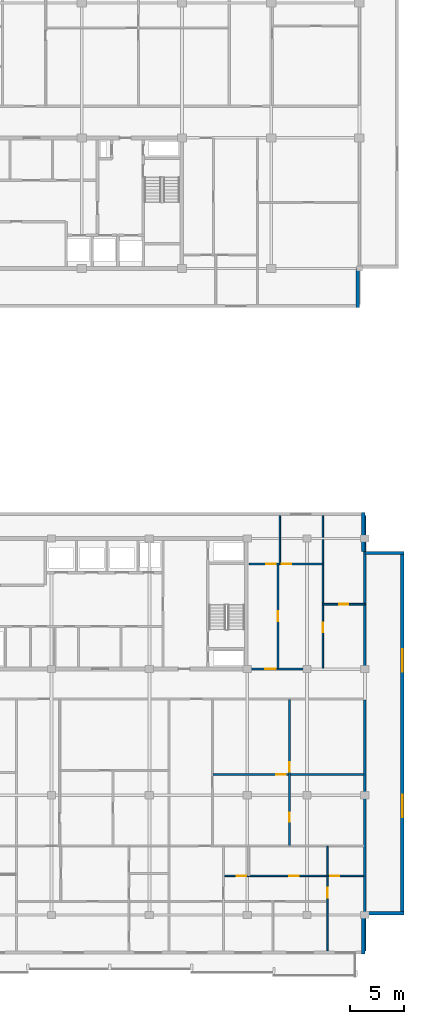
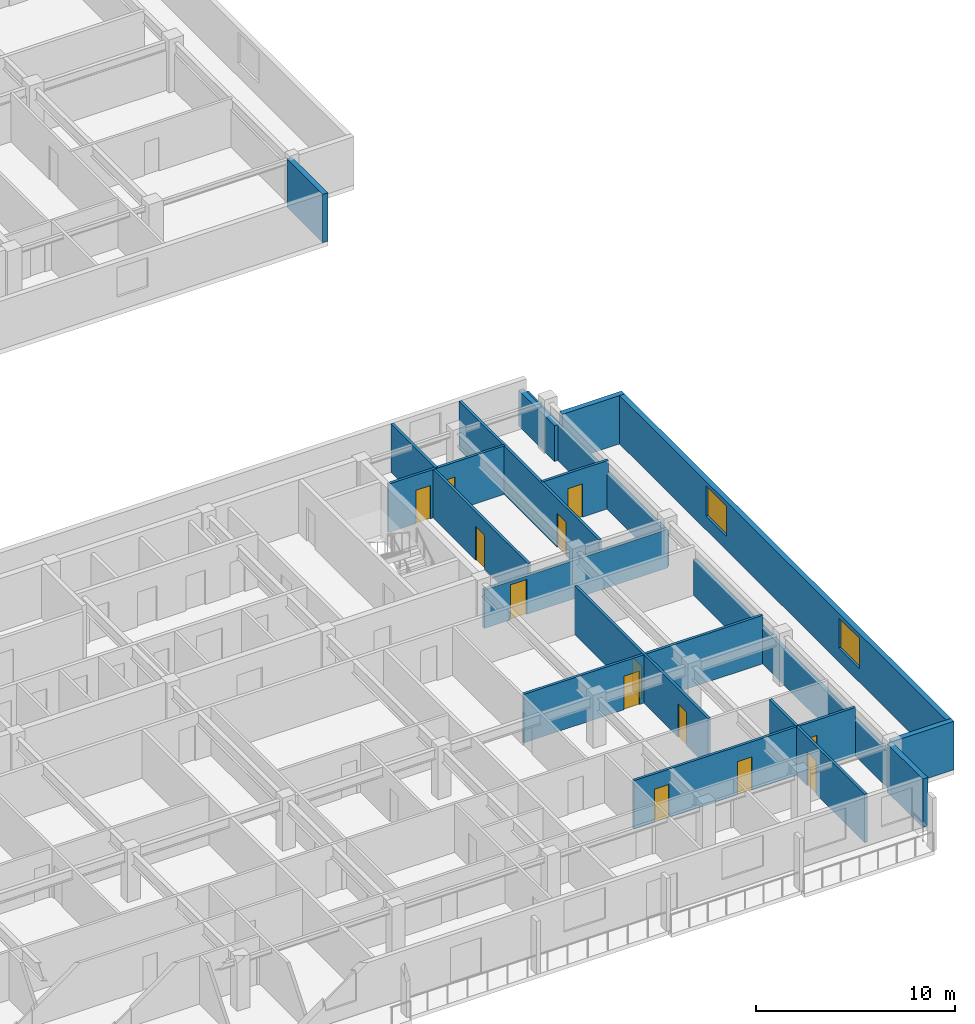
# One storey, part 10 of 22: 19 walls, 13 doors, 2 windows, 15 openings.
"""IFC4 building model written with IfcOpenShell, lengths in metres."""

from ifc_helpers import new_model, si_unit, direction, frame, frame_2d, origin, place, context, subcontext, project, spatial, rectangle, extrude, material, layer, layer_set, type_object, element, fill, save


model = new_model("IFC4")

# Units and contexts
model_context = context("Model", 3, precision=1e-05, world=origin(), true_north=direction((0.0, 1.0)))
body_context = subcontext(model_context, "Body", "Model", "MODEL_VIEW")
ifc_project = project(units=[si_unit("LENGTHUNIT", "METRE"), si_unit("AREAUNIT", "SQUARE_METRE"), si_unit("VOLUMEUNIT", "CUBIC_METRE"), si_unit("PLANEANGLEUNIT", "RADIAN"), si_unit("MASSUNIT", "GRAM", prefix="KILO")], contexts=[model_context])

# Site, building, storey
site_placement = place(None, origin())
site = spatial("IfcSite", under=ifc_project, at=site_placement, CompositionType="ELEMENT")
building_placement = place(site_placement, origin())
building = spatial("IfcBuilding", under=site, at=building_placement, Name="Korimba Cascade Residences", CompositionType="ELEMENT")
storey_placement = place(building_placement, frame((0.0, 0.0, 197.85009765625)))
storey = spatial("IfcBuildingStorey", under=building, at=storey_placement, Name="L57", CompositionType="ELEMENT", Elevation=197.85009765625)

# Walls
ifc_material_1 = material(Name="Precast concrete C40/50", Category="concrete")
ifc_layer_1 = layer(ifc_material_1, 0.300048828125)
ifc_layer_set_1 = layer_set([ifc_layer_1], Name="Precast concrete C40/50")
wall_type_1 = type_object("IfcWallType", Name="EW-STONE-300", PredefinedType="STANDARD", material=ifc_layer_set_1)
wall_1_placement = place(storey_placement, frame((128.25, 51.60009765625, 0.0), z_axis=(0.0, 0.0, 1.0), x_axis=(0.0, 1.0, 0.0)))
element("IfcWall", 1, at=wall_1_placement, inside=storey, type_object=wall_type_1, Name="L57 T1 Perimeter Stone Wall E01", PredefinedType="STANDARD", context=body_context, shape_type="SweptSolid", body=[
    extrude(rectangle(XDim=3.599853515625, YDim=0.300048828125, at=frame_2d((1.7998046875, 0.0))), origin(), (0.0, 0.0, 1.0), 2.969970703125),
])
for number, where, z_axis, x_axis, name in (
    (2, (128.75, -7.800048828125, 0.0), (0.0, 0.0, 1.0), (0.0, 1.0, 0.0), "L57 T2 Perimeter Stone Wall E01"),
    (3, (128.89990234375, -4.050048828125, 0.0), (0.0, 0.0, 1.0), (1.0, 0.0, 0.0), "L57 T2 Perimeter Stone Wall E02"),
):
    element("IfcWall", number, at=place(storey_placement, frame(where, z_axis=z_axis, x_axis=x_axis)), inside=storey, type_object=wall_type_1, Name=name, PredefinedType="STANDARD", context=body_context, shape_type="SweptSolid", body=[
        extrude(rectangle(XDim=3.60009765625, YDim=0.300048828125, at=frame_2d((1.800048828125, 0.0))), origin(), (0.0, 0.0, 1.0), 2.969970703125),
    ])

# Wall, openings, windows
wall_2_placement = place(storey_placement, frame((132.35009765625, -4.199951171875, 0.0), z_axis=(0.0, 0.0, 1.0), x_axis=(0.0, 1.0, 0.0)))
wall_2 = element("IfcWall", 4, at=wall_2_placement, inside=storey, type_object=wall_type_1, Name="L57 T2 Perimeter Stone Wall E03", PredefinedType="STANDARD", context=body_context, shape_type="SweptSolid", body=[
    extrude(rectangle(XDim=33.39990234375, YDim=0.300048828125, at=frame_2d((16.699951171875, 0.0))), origin(), (0.0, 0.0, 1.0), 2.969970703125),
])
opening_1_placement = place(wall_2_placement, frame((8.969970703125, 0.0, 0.85009765625)))
opening_1 = element("IfcOpeningElement", 5, at=opening_1_placement, cuts=wall_2, Name="Opening W-03", PredefinedType="OPENING", context=body_context, shape_type="SweptSolid", body=[
    extrude(rectangle(XDim=2.10009765625, YDim=1.85009765625, at=frame_2d((1.050048828125, 0.925048828125))), frame((0.0, 0.16015625, 0.0), z_axis=(0.0, -1.0, 0.0), x_axis=(1.0, 0.0, 0.0)), (0.0, 0.0, 1.0), 0.320068359375),
])
opening_2_placement = place(wall_2_placement, frame((22.330078125, 0.0, 0.85009765625)))
opening_2 = element("IfcOpeningElement", 6, at=opening_2_placement, cuts=wall_2, Name="Opening W-03", PredefinedType="OPENING", context=body_context, shape_type="SweptSolid", body=[
    extrude(rectangle(XDim=2.10009765625, YDim=1.85009765625, at=frame_2d((1.050048828125, 0.925048828125))), frame((0.0, 0.16015625, 0.0), z_axis=(0.0, -1.0, 0.0), x_axis=(1.0, 0.0, 0.0)), (0.0, 0.0, 1.0), 0.320068359375),
])
ifc_material_2 = material(Name="Double-Glazed Aluminium Window", Category="aluminium")
window_type = type_object("IfcWindowType", Name="WIN-CRN-2100", PartitioningType="DOUBLE_PANEL_HORIZONTAL", PredefinedType="WINDOW", material=ifc_material_2)
window_1_placement = place(opening_1_placement, origin())
window_1 = element("IfcWindow", 7, at=window_1_placement, inside=storey, type_object=window_type, Name="L57 T2 End View Window 3.1", OverallHeight=1.85009765625, OverallWidth=2.10009765625, PartitioningType="DOUBLE_PANEL_HORIZONTAL", PredefinedType="WINDOW", context=body_context, shape_type="SweptSolid", body=[
    extrude(rectangle(XDim=2.10009765625, YDim=1.85009765625, at=frame_2d((1.050048828125, 0.925048828125))), frame((0.0, 0.030029296875, 0.0), z_axis=(0.0, -1.0, 0.0), x_axis=(1.0, 0.0, 0.0)), (0.0, 0.0, 1.0), 0.06005859375),
])
fill(opening_1, window_1)
window_2_placement = place(opening_2_placement, origin())
window_2 = element("IfcWindow", 8, at=window_2_placement, inside=storey, type_object=window_type, Name="L57 T2 End View Window 3.2", OverallHeight=1.85009765625, OverallWidth=2.10009765625, PartitioningType="DOUBLE_PANEL_HORIZONTAL", PredefinedType="WINDOW", context=body_context, shape_type="SweptSolid", body=[
    extrude(rectangle(XDim=2.10009765625, YDim=1.85009765625, at=frame_2d((1.050048828125, 0.925048828125))), frame((0.0, 0.030029296875, 0.0), z_axis=(0.0, -1.0, 0.0), x_axis=(1.0, 0.0, 0.0)), (0.0, 0.0, 1.0), 0.06005859375),
])
fill(opening_2, window_2)

# Walls
wall_3_placement = place(storey_placement, frame((132.5, 29.050048828125, 0.0), z_axis=(0.0, 0.0, 1.0), x_axis=(-1.0, 0.0, 0.0)))
element("IfcWall", 9, at=wall_3_placement, inside=storey, type_object=wall_type_1, Name="L57 T2 Perimeter Stone Wall E04", PredefinedType="STANDARD", context=body_context, shape_type="SweptSolid", body=[
    extrude(rectangle(XDim=3.60009765625, YDim=0.300048828125, at=frame_2d((1.800048828125, 0.0))), origin(), (0.0, 0.0, 1.0), 2.969970703125),
])
wall_4_placement = place(storey_placement, frame((128.75, 29.199951171875, 0.0), z_axis=(0.0, 0.0, 1.0), x_axis=(0.0, 1.0, 0.0)))
element("IfcWall", 10, at=wall_4_placement, inside=storey, type_object=wall_type_1, Name="L57 T2 Perimeter Stone Wall E05", PredefinedType="STANDARD", context=body_context, shape_type="SweptSolid", body=[
    extrude(rectangle(XDim=3.60009765625, YDim=0.300048828125, at=frame_2d((1.800048828125, 0.0))), origin(), (0.0, 0.0, 1.0), 2.2001953125),
])
ifc_layer_2 = layer(ifc_material_1, 0.199951171875)
ifc_layer_set_2 = layer_set([ifc_layer_2], Name="Precast concrete C40/50")
wall_type_2 = type_object("IfcWallType", Name="WAL-IT-200", PredefinedType="PARTITIONING", material=ifc_layer_set_2)
wall_5_placement = place(storey_placement, frame((128.89990234375, 18.39990234375, 0.0), z_axis=(0.0, 0.0, 1.0), x_axis=(0.0, 1.0, 0.0)))
element("IfcWall", 11, at=wall_5_placement, inside=storey, type_object=wall_type_2, Name="L57 Partition Wall WAL-L57-T2-FE-WR", PredefinedType="PARTITIONING", context=body_context, shape_type="SweptSolid", body=[
    extrude(rectangle(XDim=14.10009765625, YDim=0.199951171875, at=frame_2d((7.050048828125, 0.0))), origin(), (0.0, 0.0, 1.0), 2.2001953125),
])

# Wall, opening, door
wall_6_placement = place(storey_placement, frame((118.25, 18.39990234375, 0.0), z_axis=(0.0, 0.0, 1.0), x_axis=(1.0, 0.0, 0.0)))
wall_6 = element("IfcWall", 12, at=wall_6_placement, inside=storey, type_object=wall_type_2, Name="L57 Partition Wall WAL-L57-T2-FE-S", PredefinedType="PARTITIONING", context=body_context, shape_type="SweptSolid", body=[
    extrude(rectangle(XDim=10.64990234375, YDim=0.199951171875, at=frame_2d((5.324951171875, 0.0))), origin(), (0.0, 0.0, 1.0), 2.357666015625),
])
opening_3_placement = place(wall_6_placement, frame((1.510009765625, 0.0, 0.0)))
opening_3 = element("IfcOpeningElement", 13, at=opening_3_placement, cuts=wall_6, Name="Opening D-UN1", PredefinedType="OPENING", context=body_context, shape_type="SweptSolid", body=[
    extrude(rectangle(XDim=0.949951171875, YDim=2.14990234375, at=frame_2d((0.47509765625, 1.074951171875))), frame((0.0, 0.10986328125, 0.0), z_axis=(0.0, -1.0, 0.0), x_axis=(1.0, 0.0, 0.0)), (0.0, 0.0, 1.0), 0.219970703125),
])
ifc_material_3 = material(Name="Fire-Rated Hardwood Apartment Entrance Door", Category="wood")
door_type_1 = type_object("IfcDoorType", Name="DR-FD60-950", OperationType="NOTDEFINED", PredefinedType="DOOR", material=ifc_material_3)
door_1_placement = place(opening_3_placement, origin())
door_1 = element("IfcDoor", 14, at=door_1_placement, inside=storey, type_object=door_type_1, Name="L57-T2-FE Entrance Door", OperationType="SINGLE_SWING_LEFT", OverallHeight=2.14990234375, OverallWidth=0.949951171875, PredefinedType="DOOR", context=body_context, shape_type="SweptSolid", body=[
    extrude(rectangle(XDim=0.949951171875, YDim=2.14990234375, at=frame_2d((0.47509765625, 1.074951171875))), frame((0.0, 0.02490234375, 0.0), z_axis=(0.0, -1.0, 0.0), x_axis=(1.0, 0.0, 0.0)), (0.0, 0.0, 1.0), 0.050048828125),
])
fill(opening_3, door_1)

# Wall
wall_7_placement = place(storey_placement, frame((128.89990234375, -7.5, 0.0), z_axis=(0.0, 0.0, 1.0), x_axis=(0.0, 1.0, 0.0)))
element("IfcWall", 15, at=wall_7_placement, inside=storey, type_object=wall_type_2, Name="L57 Partition Wall WAL-L57-T2-BNDWR", PredefinedType="PARTITIONING", context=body_context, shape_type="SweptSolid", body=[
    extrude(rectangle(XDim=23.070068359375, YDim=0.199951171875, at=frame_2d((11.53515625, 0.0))), origin(), (0.0, 0.0, 1.0), 2.2001953125),
])

# Wall, opening, door
ifc_material_4 = material(Name="Insulated Acoustic Stud Partition", Category="gypsum")
ifc_layer_3 = layer(ifc_material_4, 0.14990234375)
ifc_layer_set_3 = layer_set([ifc_layer_3], Name="Insulated Acoustic Stud Partition")
wall_type_3 = type_object("IfcWallType", Name="WAL-PART-150", PredefinedType="PARTITIONING", material=ifc_layer_set_3)
wall_8_placement = place(storey_placement, frame((125.050048828125, 24.35009765625, 0.0), z_axis=(0.0, 0.0, 1.0), x_axis=(1.0, 0.0, 0.0)))
wall_8 = element("IfcWall", 16, at=wall_8_placement, inside=storey, type_object=wall_type_3, Name="L57 Partition Wall WAL-L57-T2-FE-STH", PredefinedType="PARTITIONING", context=body_context, shape_type="SweptSolid", body=[
    extrude(rectangle(XDim=3.849853515625, YDim=0.14990234375, at=frame_2d((1.9248046875, 0.0))), origin(), (0.0, 0.0, 1.0), 2.969970703125),
])
opening_4_placement = place(wall_8_placement, frame((1.5048828125, 0.0, 0.0)))
opening_4 = element("IfcOpeningElement", 17, at=opening_4_placement, cuts=wall_8, Name="Opening D-BT1", PredefinedType="OPENING", context=body_context, shape_type="SweptSolid", body=[
    extrude(rectangle(XDim=0.840087890625, YDim=2.0400390625, at=frame_2d((0.419921875, 1.02001953125))), frame((0.0, 0.0849609375, 0.0), z_axis=(0.0, -1.0, 0.0), x_axis=(1.0, 0.0, 0.0)), (0.0, 0.0, 1.0), 0.169921875),
])
ifc_material_5 = material(Name="Moisture-Resistant Bathroom Timber Door", Category="wood")
door_type_2 = type_object("IfcDoorType", Name="DR-INT-850", OperationType="NOTDEFINED", PredefinedType="DOOR", material=ifc_material_5)
door_2_placement = place(opening_4_placement, origin())
door_2 = element("IfcDoor", 18, at=door_2_placement, inside=storey, type_object=door_type_2, Name="L57-T2-FE Dressing Store Door", OperationType="SINGLE_SWING_RIGHT", OverallHeight=2.0400390625, OverallWidth=0.840087890625, PredefinedType="DOOR", context=body_context, shape_type="SweptSolid", body=[
    extrude(rectangle(XDim=0.840087890625, YDim=2.0400390625, at=frame_2d((0.419921875, 1.02001953125))), frame((0.0, 0.02490234375, 0.0), z_axis=(0.0, -1.0, 0.0), x_axis=(1.0, 0.0, 0.0)), (0.0, 0.0, 1.0), 0.050048828125),
])
fill(opening_4, door_2)

wall_9_placement = place(storey_placement, frame((125.050048828125, 18.449951171875, 0.0), z_axis=(0.0, 0.0, 1.0), x_axis=(0.0, 1.0, 0.0)))
wall_9 = element("IfcWall", 19, at=wall_9_placement, inside=storey, type_object=wall_type_3, Name="L57 Partition Wall WAL-L57-T2-FE-STV", PredefinedType="PARTITIONING", context=body_context, shape_type="SweptSolid", body=[
    extrude(rectangle(XDim=14.050048828125, YDim=0.14990234375, at=frame_2d((7.02490234375, 0.0))), origin(), (0.0, 0.0, 1.0), 2.969970703125),
])
opening_5_placement = place(wall_9_placement, frame((3.320068359375, 0.0, 0.0)))
opening_5 = element("IfcOpeningElement", 20, at=opening_5_placement, cuts=wall_9, Name="Opening D-IN2", PredefinedType="OPENING", context=body_context, shape_type="SweptSolid", body=[
    extrude(rectangle(XDim=0.8798828125, YDim=2.06005859375, at=frame_2d((0.43994140625, 1.030029296875))), frame((0.0, 0.0849609375, 0.0), z_axis=(0.0, -1.0, 0.0), x_axis=(1.0, 0.0, 0.0)), (0.0, 0.0, 1.0), 0.169921875),
])
ifc_material_6 = material(Name="Acoustic Timber Bedroom Door", Category="wood")
door_type_3 = type_object("IfcDoorType", Name="DR-INT-880", OperationType="NOTDEFINED", PredefinedType="DOOR", material=ifc_material_6)
door_3_placement = place(opening_5_placement, origin())
door_3 = element("IfcDoor", 21, at=door_3_placement, inside=storey, type_object=door_type_3, Name="L57-T2-FE Study Door", OperationType="SINGLE_SWING_LEFT", OverallHeight=2.06005859375, OverallWidth=0.8798828125, PredefinedType="DOOR", context=body_context, shape_type="SweptSolid", body=[
    extrude(rectangle(XDim=0.8798828125, YDim=2.06005859375, at=frame_2d((0.43994140625, 1.030029296875))), frame((0.0, 0.02490234375, 0.0), z_axis=(0.0, -1.0, 0.0), x_axis=(1.0, 0.0, 0.0)), (0.0, 0.0, 1.0), 0.050048828125),
])
fill(opening_5, door_3)

wall_10_placement = place(storey_placement, frame((120.929931640625, 18.449951171875, 0.0), z_axis=(0.0, 0.0, 1.0), x_axis=(0.0, 1.0, 0.0)))
wall_10 = element("IfcWall", 22, at=wall_10_placement, inside=storey, type_object=wall_type_3, Name="L57 Partition Wall WAL-L57-T2-FE-VS", PredefinedType="PARTITIONING", context=body_context, shape_type="SweptSolid", body=[
    extrude(rectangle(XDim=9.60009765625, YDim=0.14990234375, at=frame_2d((4.800048828125, 0.0))), origin(), (0.0, 0.0, 1.0), 2.969970703125),
])
opening_6_placement = place(wall_10_placement, frame((4.340087890625, 0.0, 0.0)))
opening_6 = element("IfcOpeningElement", 23, at=opening_6_placement, cuts=wall_10, Name="Opening D-IN1", PredefinedType="OPENING", context=body_context, shape_type="SweptSolid", body=[
    extrude(rectangle(XDim=0.919921875, YDim=2.080078125, at=frame_2d((0.4599609375, 1.0400390625))), frame((0.0, 0.0849609375, 0.0), z_axis=(0.0, -1.0, 0.0), x_axis=(1.0, 0.0, 0.0)), (0.0, 0.0, 1.0), 0.169921875),
])
ifc_material_7 = material(Name="Acoustic Timber Living Door", Category="wood")
door_type_4 = type_object("IfcDoorType", Name="DR-INT-920", OperationType="NOTDEFINED", PredefinedType="DOOR", material=ifc_material_7)
door_4_placement = place(opening_6_placement, origin())
door_4 = element("IfcDoor", 24, at=door_4_placement, inside=storey, type_object=door_type_4, Name="L57-T2-FE Living Door", OperationType="SINGLE_SWING_RIGHT", OverallHeight=2.080078125, OverallWidth=0.919921875, PredefinedType="DOOR", context=body_context, shape_type="SweptSolid", body=[
    extrude(rectangle(XDim=0.919921875, YDim=2.080078125, at=frame_2d((0.4599609375, 1.0400390625))), frame((0.0, 0.02490234375, 0.0), z_axis=(0.0, -1.0, 0.0), x_axis=(1.0, 0.0, 0.0)), (0.0, 0.0, 1.0), 0.050048828125),
])
fill(opening_6, door_4)

# Wall
wall_11_placement = place(storey_placement, frame((121.10009765625, 28.050048828125, 0.0), z_axis=(0.0, 0.0, 1.0), x_axis=(0.0, 1.0, 0.0)))
element("IfcWall", 25, at=wall_11_placement, inside=storey, type_object=wall_type_3, Name="L57 Partition Wall WAL-L57-T2-FE-VN", PredefinedType="PARTITIONING", context=body_context, shape_type="SweptSolid", body=[
    extrude(rectangle(XDim=4.449951171875, YDim=0.14990234375, at=frame_2d((2.22509765625, 0.0))), origin(), (0.0, 0.0, 1.0), 2.969970703125),
])

# Wall, openings, doors
wall_12_placement = place(storey_placement, frame((118.27001953125, 28.050048828125, 0.0), z_axis=(0.0, 0.0, 1.0), x_axis=(1.0, 0.0, 0.0)))
wall_12 = element("IfcWall", 26, at=wall_12_placement, inside=storey, type_object=wall_type_3, Name="L57 Partition Wall WAL-L57-T2-FE-H", PredefinedType="PARTITIONING", context=body_context, shape_type="SweptSolid", body=[
    extrude(rectangle(XDim=6.760009765625, YDim=0.14990234375, at=frame_2d((3.3798828125, 0.0))), origin(), (0.0, 0.0, 1.0), 2.969970703125),
])
opening_7_placement = place(wall_12_placement, frame((1.58740234375, 0.0, 0.0)))
opening_7 = element("IfcOpeningElement", 27, at=opening_7_placement, cuts=wall_12, Name="Opening D-BT1", PredefinedType="OPENING", context=body_context, shape_type="SweptSolid", body=[
    extrude(rectangle(XDim=0.840087890625, YDim=2.0400390625, at=frame_2d((0.419921875, 1.02001953125))), frame((0.0, 0.0849609375, 0.0), z_axis=(0.0, -1.0, 0.0), x_axis=(1.0, 0.0, 0.0)), (0.0, 0.0, 1.0), 0.169921875),
])
opening_8_placement = place(wall_12_placement, frame((2.988037109375, 0.0, 0.0)))
opening_8 = element("IfcOpeningElement", 28, at=opening_8_placement, cuts=wall_12, Name="Opening D-IN2", PredefinedType="OPENING", context=body_context, shape_type="SweptSolid", body=[
    extrude(rectangle(XDim=0.8798828125, YDim=2.06005859375, at=frame_2d((0.43994140625, 1.030029296875))), frame((0.0, 0.0849609375, 0.0), z_axis=(0.0, -1.0, 0.0), x_axis=(1.0, 0.0, 0.0)), (0.0, 0.0, 1.0), 0.169921875),
])
door_5_placement = place(opening_7_placement, origin())
door_5 = element("IfcDoor", 29, at=door_5_placement, inside=storey, type_object=door_type_2, Name="L57-T2-FE Bathroom Door", OperationType="SINGLE_SWING_LEFT", OverallHeight=2.0400390625, OverallWidth=0.840087890625, PredefinedType="DOOR", context=body_context, shape_type="SweptSolid", body=[
    extrude(rectangle(XDim=0.840087890625, YDim=2.0400390625, at=frame_2d((0.419921875, 1.02001953125))), frame((0.0, 0.02490234375, 0.0), z_axis=(0.0, -1.0, 0.0), x_axis=(1.0, 0.0, 0.0)), (0.0, 0.0, 1.0), 0.050048828125),
])
fill(opening_7, door_5)
door_6_placement = place(opening_8_placement, origin())
door_6 = element("IfcDoor", 30, at=door_6_placement, inside=storey, type_object=door_type_3, Name="L57-T2-FE Bedroom Door", OperationType="SINGLE_SWING_RIGHT", OverallHeight=2.06005859375, OverallWidth=0.8798828125, PredefinedType="DOOR", context=body_context, shape_type="SweptSolid", body=[
    extrude(rectangle(XDim=0.8798828125, YDim=2.06005859375, at=frame_2d((0.43994140625, 1.030029296875))), frame((0.0, 0.02490234375, 0.0), z_axis=(0.0, -1.0, 0.0), x_axis=(1.0, 0.0, 0.0)), (0.0, 0.0, 1.0), 0.050048828125),
])
fill(opening_8, door_6)

wall_13_placement = place(storey_placement, frame((121.985595703125, 2.18994140625, 0.0), z_axis=(0.0, 0.0, 1.0), x_axis=(0.0, 1.0, 0.0)))
wall_13 = element("IfcWall", 31, at=wall_13_placement, inside=storey, type_object=wall_type_3, Name="L57 Partition Wall WAL-L57-T2-U03-FMV", PredefinedType="PARTITIONING", context=body_context, shape_type="SweptSolid", body=[
    extrude(rectangle(XDim=13.400146484375, YDim=0.14990234375, at=frame_2d((6.7001953125, 0.0))), origin(), (0.0, 0.0, 1.0), 2.969970703125),
])
opening_9_placement = place(wall_13_placement, frame((2.1787109375, 0.0, 0.0)))
opening_9 = element("IfcOpeningElement", 32, at=opening_9_placement, cuts=wall_13, Name="Opening D-BT1", PredefinedType="OPENING", context=body_context, shape_type="SweptSolid", body=[
    extrude(rectangle(XDim=0.840087890625, YDim=2.0400390625, at=frame_2d((0.419921875, 1.02001953125))), frame((0.0, 0.0849609375, 0.0), z_axis=(0.0, -1.0, 0.0), x_axis=(1.0, 0.0, 0.0)), (0.0, 0.0, 1.0), 0.169921875),
])
opening_10_placement = place(wall_13_placement, frame((6.77001953125, 0.0, 0.0)))
opening_10 = element("IfcOpeningElement", 33, at=opening_10_placement, cuts=wall_13, Name="Opening D-IN2", PredefinedType="OPENING", context=body_context, shape_type="SweptSolid", body=[
    extrude(rectangle(XDim=0.8798828125, YDim=2.06005859375, at=frame_2d((0.43994140625, 1.030029296875))), frame((0.0, 0.0849609375, 0.0), z_axis=(0.0, -1.0, 0.0), x_axis=(1.0, 0.0, 0.0)), (0.0, 0.0, 1.0), 0.169921875),
])
door_7_placement = place(opening_9_placement, origin())
door_7 = element("IfcDoor", 34, at=door_7_placement, inside=storey, type_object=door_type_2, Name="L57-T2-U03 Wardrobe Door", OperationType="SINGLE_SWING_LEFT", OverallHeight=2.0400390625, OverallWidth=0.840087890625, PredefinedType="DOOR", context=body_context, shape_type="SweptSolid", body=[
    extrude(rectangle(XDim=0.840087890625, YDim=2.0400390625, at=frame_2d((0.419921875, 1.02001953125))), frame((0.0, 0.02490234375, 0.0), z_axis=(0.0, -1.0, 0.0), x_axis=(1.0, 0.0, 0.0)), (0.0, 0.0, 1.0), 0.050048828125),
])
fill(opening_9, door_7)
door_8_placement = place(opening_10_placement, origin())
door_8 = element("IfcDoor", 35, at=door_8_placement, inside=storey, type_object=door_type_3, Name="L57-T2-U03 Music Lounge Door", OperationType="SINGLE_SWING_RIGHT", OverallHeight=2.06005859375, OverallWidth=0.8798828125, PredefinedType="DOOR", context=body_context, shape_type="SweptSolid", body=[
    extrude(rectangle(XDim=0.8798828125, YDim=2.06005859375, at=frame_2d((0.43994140625, 1.030029296875))), frame((0.0, 0.02490234375, 0.0), z_axis=(0.0, -1.0, 0.0), x_axis=(1.0, 0.0, 0.0)), (0.0, 0.0, 1.0), 0.050048828125),
])
fill(opening_10, door_8)

# Wall, opening, door
wall_14_placement = place(storey_placement, frame((114.951416015625, 8.7099609375, 0.0), z_axis=(0.0, 0.0, 1.0), x_axis=(1.0, 0.0, 0.0)))
wall_14 = element("IfcWall", 36, at=wall_14_placement, inside=storey, type_object=wall_type_3, Name="L57 Partition Wall WAL-L57-T2-U03-FMH", PredefinedType="PARTITIONING", context=body_context, shape_type="SweptSolid", body=[
    extrude(rectangle(XDim=13.86865234375, YDim=0.14990234375, at=frame_2d((6.934326171875, 0.0))), origin(), (0.0, 0.0, 1.0), 2.969970703125),
])
opening_11_placement = place(wall_14_placement, frame((5.822509765625, 0.0, 0.0)))
opening_11 = element("IfcOpeningElement", 37, at=opening_11_placement, cuts=wall_14, Name="Opening D-IN2", PredefinedType="OPENING", context=body_context, shape_type="SweptSolid", body=[
    extrude(rectangle(XDim=0.8798828125, YDim=2.06005859375, at=frame_2d((0.43994140625, 1.030029296875))), frame((0.0, 0.0849609375, 0.0), z_axis=(0.0, -1.0, 0.0), x_axis=(1.0, 0.0, 0.0)), (0.0, 0.0, 1.0), 0.169921875),
])
door_9_placement = place(opening_11_placement, origin())
door_9 = element("IfcDoor", 38, at=door_9_placement, inside=storey, type_object=door_type_3, Name="L57-T2-U03 Library Salon Door", OperationType="SINGLE_SWING_LEFT", OverallHeight=2.06005859375, OverallWidth=0.8798828125, PredefinedType="DOOR", context=body_context, shape_type="SweptSolid", body=[
    extrude(rectangle(XDim=0.8798828125, YDim=2.06005859375, at=frame_2d((0.43994140625, 1.030029296875))), frame((0.0, 0.02490234375, 0.0), z_axis=(0.0, -1.0, 0.0), x_axis=(1.0, 0.0, 0.0)), (0.0, 0.0, 1.0), 0.050048828125),
])
fill(opening_11, door_9)

# Wall
wall_15_placement = place(storey_placement, frame((125.47998046875, -0.580078125, 0.0), z_axis=(0.0, 0.0, 1.0), x_axis=(0.0, 1.0, 0.0)))
element("IfcWall", 39, at=wall_15_placement, inside=storey, type_object=wall_type_3, Name="L57 Partition Wall WAL-L57-T2-U03-VBATH", PredefinedType="PARTITIONING", context=body_context, shape_type="SweptSolid", body=[
    extrude(rectangle(XDim=2.690185546875, YDim=0.14990234375, at=frame_2d((1.34521484375, 0.0))), origin(), (0.0, 0.0, 1.0), 2.969970703125),
])

# Wall, opening, door
wall_16_placement = place(storey_placement, frame((125.47998046875, -7.5, 0.0), z_axis=(0.0, 0.0, 1.0), x_axis=(0.0, 1.0, 0.0)))
wall_16 = element("IfcWall", 40, at=wall_16_placement, inside=storey, type_object=wall_type_3, Name="L57 Partition Wall WAL-L57-T2-U03-V2FULL", PredefinedType="PARTITIONING", context=body_context, shape_type="SweptSolid", body=[
    extrude(rectangle(XDim=6.8798828125, YDim=0.14990234375, at=frame_2d((3.43994140625, 0.0))), origin(), (0.0, 0.0, 1.0), 2.969970703125),
])
opening_12_placement = place(wall_16_placement, frame((4.8701171875, 0.0, 0.0)))
opening_12 = element("IfcOpeningElement", 41, at=opening_12_placement, cuts=wall_16, Name="Opening D-IN1", PredefinedType="OPENING", context=body_context, shape_type="SweptSolid", body=[
    extrude(rectangle(XDim=0.919921875, YDim=2.080078125, at=frame_2d((0.4599609375, 1.0400390625))), frame((0.0, 0.0849609375, 0.0), z_axis=(0.0, -1.0, 0.0), x_axis=(1.0, 0.0, 0.0)), (0.0, 0.0, 1.0), 0.169921875),
])
door_10_placement = place(opening_12_placement, origin())
door_10 = element("IfcDoor", 42, at=door_10_placement, inside=storey, type_object=door_type_4, Name="L57-T2-U03 Master Bedroom Door", OperationType="SINGLE_SWING_RIGHT", OverallHeight=2.080078125, OverallWidth=0.919921875, PredefinedType="DOOR", context=body_context, shape_type="SweptSolid", body=[
    extrude(rectangle(XDim=0.919921875, YDim=2.080078125, at=frame_2d((0.4599609375, 1.0400390625))), frame((0.0, 0.02490234375, 0.0), z_axis=(0.0, -1.0, 0.0), x_axis=(1.0, 0.0, 0.0)), (0.0, 0.0, 1.0), 0.050048828125),
])
fill(opening_12, door_10)

# Wall, openings, doors
wall_17_placement = place(storey_placement, frame((115.96142578125, -0.60009765625, 0.0), z_axis=(0.0, 0.0, 1.0), x_axis=(1.0, 0.0, 0.0)))
wall_17 = element("IfcWall", 43, at=wall_17_placement, inside=storey, type_object=wall_type_3, Name="L57 Partition Wall WAL-L57-T2-U03-HWALL", PredefinedType="PARTITIONING", context=body_context, shape_type="SweptSolid", body=[
    extrude(rectangle(XDim=12.858642578125, YDim=0.14990234375, at=frame_2d((6.42919921875, 0.0))), origin(), (0.0, 0.0, 1.0), 2.969970703125),
])
opening_13_placement = place(wall_17_placement, frame((1.19091796875, 0.0, 0.0)))
opening_13 = element("IfcOpeningElement", 44, at=opening_13_placement, cuts=wall_17, Name="Opening D-BT1", PredefinedType="OPENING", context=body_context, shape_type="SweptSolid", body=[
    extrude(rectangle(XDim=0.840087890625, YDim=2.0400390625, at=frame_2d((0.419921875, 1.02001953125))), frame((0.0, 0.0849609375, 0.0), z_axis=(0.0, -1.0, 0.0), x_axis=(1.0, 0.0, 0.0)), (0.0, 0.0, 1.0), 0.169921875),
])
opening_14_placement = place(wall_17_placement, frame((6.00927734375, 0.0, 0.0)))
opening_14 = element("IfcOpeningElement", 45, at=opening_14_placement, cuts=wall_17, Name="Opening D-BT1", PredefinedType="OPENING", context=body_context, shape_type="SweptSolid", body=[
    extrude(rectangle(XDim=0.840087890625, YDim=2.0400390625, at=frame_2d((0.419921875, 1.02001953125))), frame((0.0, 0.0849609375, 0.0), z_axis=(0.0, -1.0, 0.0), x_axis=(1.0, 0.0, 0.0)), (0.0, 0.0, 1.0), 0.169921875),
])
opening_15_placement = place(wall_17_placement, frame((9.7685546875, 0.0, 0.0)))
opening_15 = element("IfcOpeningElement", 46, at=opening_15_placement, cuts=wall_17, Name="Opening D-BT1", PredefinedType="OPENING", context=body_context, shape_type="SweptSolid", body=[
    extrude(rectangle(XDim=0.840087890625, YDim=2.0400390625, at=frame_2d((0.419921875, 1.02001953125))), frame((0.0, 0.0849609375, 0.0), z_axis=(0.0, -1.0, 0.0), x_axis=(1.0, 0.0, 0.0)), (0.0, 0.0, 1.0), 0.169921875),
])
door_11_placement = place(opening_13_placement, origin())
door_11 = element("IfcDoor", 47, at=door_11_placement, inside=storey, type_object=door_type_2, Name="L57-T2-U03 Family Bathroom Door", OperationType="SINGLE_SWING_LEFT", OverallHeight=2.0400390625, OverallWidth=0.840087890625, PredefinedType="DOOR", context=body_context, shape_type="SweptSolid", body=[
    extrude(rectangle(XDim=0.840087890625, YDim=2.0400390625, at=frame_2d((0.419921875, 1.02001953125))), frame((0.0, 0.02490234375, 0.0), z_axis=(0.0, -1.0, 0.0), x_axis=(1.0, 0.0, 0.0)), (0.0, 0.0, 1.0), 0.050048828125),
])
fill(opening_13, door_11)
door_12_placement = place(opening_14_placement, origin())
door_12 = element("IfcDoor", 48, at=door_12_placement, inside=storey, type_object=door_type_2, Name="L57-T2-U03 Dressing Room Door", OperationType="SINGLE_SWING_RIGHT", OverallHeight=2.0400390625, OverallWidth=0.840087890625, PredefinedType="DOOR", context=body_context, shape_type="SweptSolid", body=[
    extrude(rectangle(XDim=0.840087890625, YDim=2.0400390625, at=frame_2d((0.419921875, 1.02001953125))), frame((0.0, 0.02490234375, 0.0), z_axis=(0.0, -1.0, 0.0), x_axis=(1.0, 0.0, 0.0)), (0.0, 0.0, 1.0), 0.050048828125),
])
fill(opening_14, door_12)
door_13_placement = place(opening_15_placement, origin())
door_13 = element("IfcDoor", 49, at=door_13_placement, inside=storey, type_object=door_type_2, Name="L57-T2-U03 En-Suite Door", OperationType="SINGLE_SWING_LEFT", OverallHeight=2.0400390625, OverallWidth=0.840087890625, PredefinedType="DOOR", context=body_context, shape_type="SweptSolid", body=[
    extrude(rectangle(XDim=0.840087890625, YDim=2.0400390625, at=frame_2d((0.419921875, 1.02001953125))), frame((0.0, 0.02490234375, 0.0), z_axis=(0.0, -1.0, 0.0), x_axis=(1.0, 0.0, 0.0)), (0.0, 0.0, 1.0), 0.050048828125),
])
fill(opening_15, door_13)

save(model, "model.ifc")
